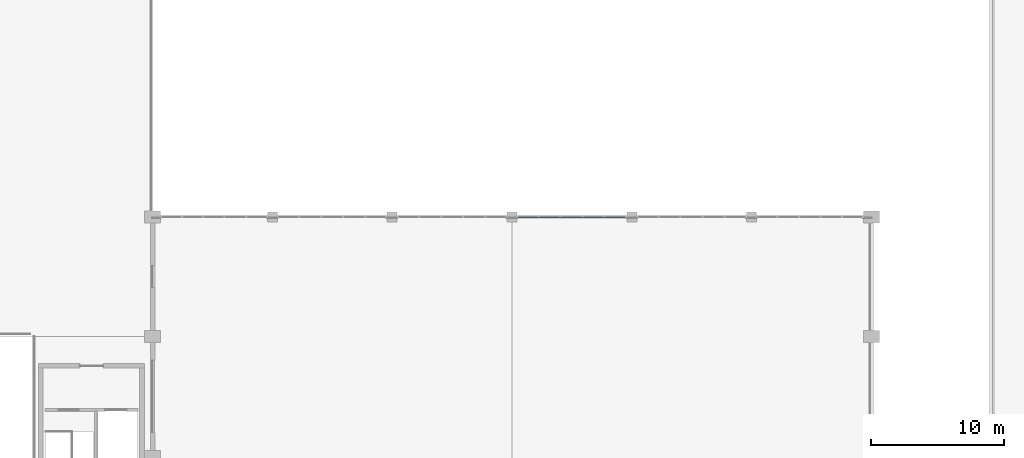
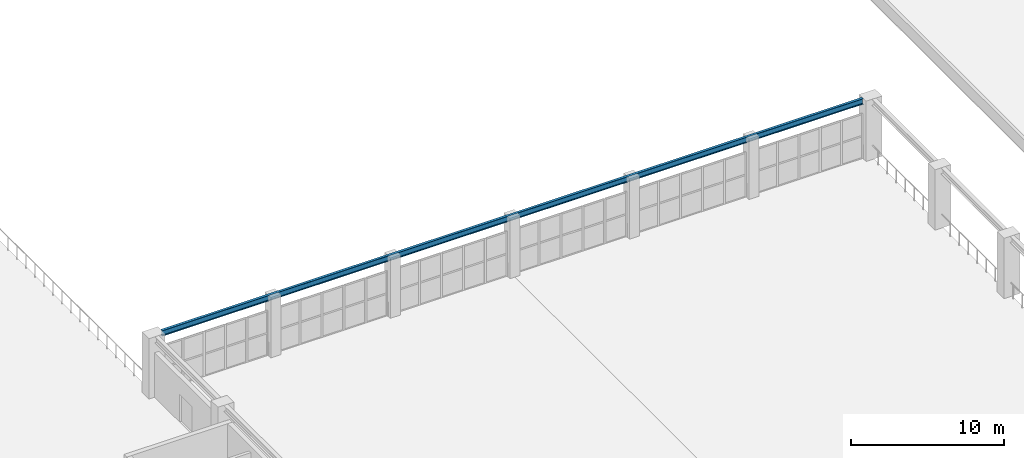
# One storey, part 46 of 89: 1 beam.
"""IFC4 building model written with IfcOpenShell, lengths in metres."""

from ifc_helpers import new_model, si_unit, direction, frame, origin, origin_2d, place, context, subcontext, project, spatial, i_section, extrude, material, material_profile, profile_set, type_object, element, save


model = new_model("IFC4")

# Units and contexts
model_context = context("Model", 3, precision=1e-05, world=origin(), true_north=direction((0.0, 1.0)))
body_context = subcontext(model_context, "Body", "Model", "MODEL_VIEW")
ifc_project = project(units=[si_unit("LENGTHUNIT", "METRE"), si_unit("AREAUNIT", "SQUARE_METRE"), si_unit("VOLUMEUNIT", "CUBIC_METRE"), si_unit("PLANEANGLEUNIT", "RADIAN"), si_unit("MASSUNIT", "GRAM", prefix="KILO")], contexts=[model_context])

# Site, building, storey
site_placement = place(None, origin())
site = spatial("IfcSite", under=ifc_project, at=site_placement, CompositionType="ELEMENT")
building_placement = place(site_placement, origin())
building = spatial("IfcBuilding", under=site, at=building_placement, Name="Dornveld Trade and Exhibition Forum", CompositionType="ELEMENT")
storey_placement = place(building_placement, frame((0.0, 0.0, 12.0)))
storey = spatial("IfcBuildingStorey", under=building, at=storey_placement, Name="L02", CompositionType="ELEMENT", Elevation=12.0)

# Beam
ifc_material = material(Name="Steel S355J2", Category="steel")
ifc_material_profile = material_profile(ifc_material, i_section(OverallWidth=0.18994140625, OverallDepth=0.449951171875, WebThickness=0.009521484375, FlangeThickness=0.0146484375, FilletRadius=0.02099609375, at=origin_2d()), Name="IPE 450")
ifc_profile_set = profile_set([ifc_material_profile], Name="Steel S355J2")
beam_type = type_object("IfcBeamType", Name="BM-SEC-450", PredefinedType="BEAM", material=ifc_profile_set)
beam_placement = place(storey_placement, frame((27.595947265625, 135.0, 4.574951171875), z_axis=(1.0, 0.0, 0.0), x_axis=(0.0, 1.0, 0.0)))
element("IfcBeam", 1, at=beam_placement, inside=storey, type_object=beam_type, Name="L02 X-girder 1444", PredefinedType="BEAM", context=body_context, shape_type="SweptSolid", body=[
    extrude(i_section(OverallWidth=0.18994140625, OverallDepth=0.449951171875, WebThickness=0.009521484375, FlangeThickness=0.0146484375, FilletRadius=0.02099609375, at=origin_2d()), origin(), (0.0, 0.0, 1.0), 52.80810546875),
])

save(model, "model.ifc")
